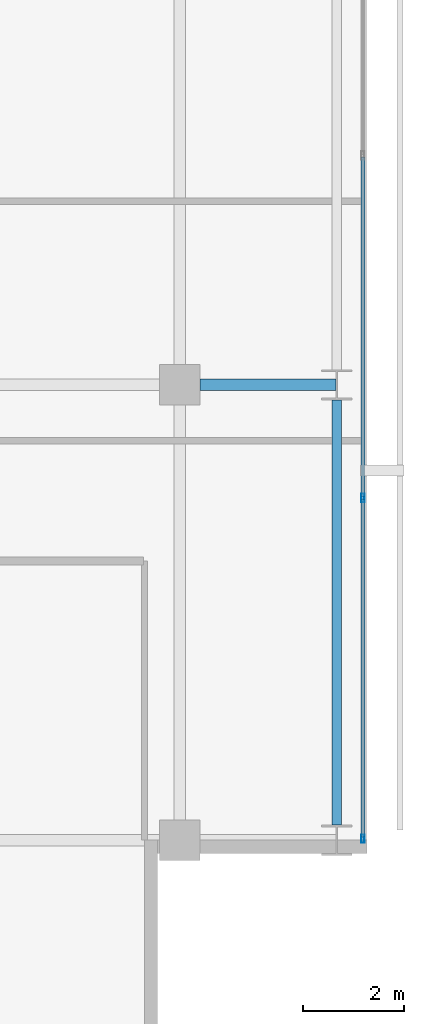
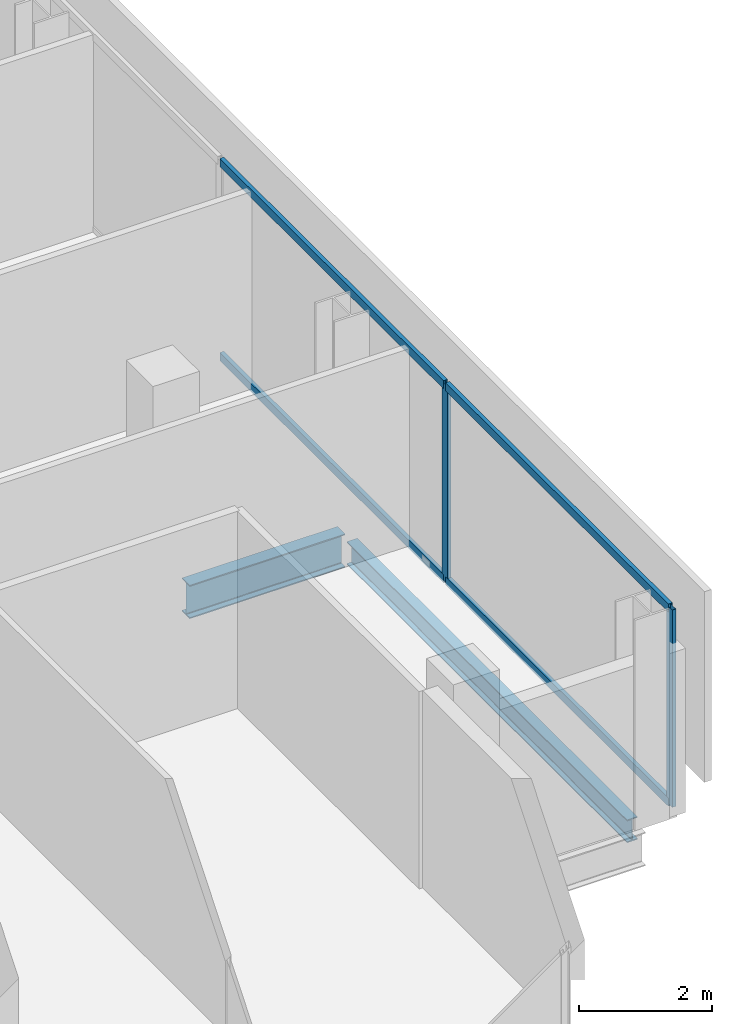
# One storey, part 15 of 33: 6 members, 2 beams, 1 element without a shape of its own.
"""IFC4 building model written with IfcOpenShell, lengths in metres."""

from ifc_helpers import new_model, si_unit, direction, frame, origin, origin_2d, place, context, subcontext, project, spatial, hollow_rectangle, i_section, extrude, material, layer, layer_set, material_profile, profile_set, type_object, element, aggregate, save


model = new_model("IFC4")

# Units and contexts
model_context = context("Model", 3, precision=1e-05, world=origin(), true_north=direction((0.0, 1.0)))
body_context = subcontext(model_context, "Body", "Model", "MODEL_VIEW")
ifc_project = project(units=[si_unit("LENGTHUNIT", "METRE"), si_unit("AREAUNIT", "SQUARE_METRE"), si_unit("VOLUMEUNIT", "CUBIC_METRE"), si_unit("PLANEANGLEUNIT", "RADIAN"), si_unit("MASSUNIT", "GRAM", prefix="KILO")], contexts=[model_context])

# Site, building, storey
site_placement = place(None, origin())
site = spatial("IfcSite", under=ifc_project, at=site_placement, CompositionType="ELEMENT")
building_placement = place(site_placement, origin())
building = spatial("IfcBuilding", under=site, at=building_placement, Name="Maruvema Waterfront Hotel and Observation Tower", CompositionType="ELEMENT")
storey_placement = place(building_placement, frame((0.0, 0.0, 142.800048828125)))
storey = spatial("IfcBuildingStorey", under=building, at=storey_placement, Name="L34", CompositionType="ELEMENT", Elevation=142.800048828125)

# Curtain wall, members
ifc_material_1 = material(Name="Anodised bronze aluminium and solar-control low-E IGU", Category="aluminium")
ifc_layer = layer(ifc_material_1, 0.159912109375, Name="Zone 2 Amber Inner Thermal Curtain Wall System CW-03")
ifc_layer_set = layer_set([ifc_layer], Name="Anodised bronze aluminium and solar-control low-E IGU")
curtain_wall_type = type_object("IfcCurtainWallType", Name="Zone 2 Amber Inner Thermal Curtain Wall System CW-03", PredefinedType="USERDEFINED", material=ifc_layer_set)
curtain_wall_placement = place(storey_placement, origin())
curtain_wall = element("IfcCurtainWall", 1, at=curtain_wall_placement, inside=storey, type_object=curtain_wall_type, Name="L34 Curtain Wall CW-L34-E", ObjectType="UNITISED CURTAIN WALL", PredefinedType="USERDEFINED")
ifc_material_2 = material(Name="Anodised architectural bronze aluminium", Category="aluminium")
ifc_material_profile_1 = material_profile(ifc_material_2, hollow_rectangle(XDim=0.070068359375, YDim=0.14990234375, WallThickness=0.00390625, at=origin_2d()), Name="ALU-T70x150")
ifc_profile_set_1 = profile_set([ifc_material_profile_1], Name="Anodised architectural bronze aluminium")
member_type_1 = type_object("IfcMemberType", Name="Curtain Wall Horizontal Transom ALU-T70x150", PredefinedType="USERDEFINED", material=ifc_profile_set_1)
member_1_placement = place(storey_placement, frame((62.419921875, 9.06005859375, 0.030029296875), z_axis=(0.0, 1.0, 0.0), x_axis=(-1.0, 0.0, 0.0)))
member_1 = element("IfcMember", 2, at=member_1_placement, type_object=member_type_1, Name="CW-03 transom 1.1", ObjectType="TRANSOM", PredefinedType="USERDEFINED", context=body_context, shape_type="SweptSolid", body=[
    extrude(hollow_rectangle(XDim=0.070068359375, YDim=0.14990234375, WallThickness=0.00390625, at=origin_2d()), origin(), (0.0, 0.0, 1.0), 6.676513671875),
])
member_2_placement = place(storey_placement, frame((62.419921875, 9.06005859375, 3.579833984375), z_axis=(0.0, 1.0, 0.0), x_axis=(-1.0, 0.0, 0.0)))
member_2 = element("IfcMember", 3, at=member_2_placement, type_object=member_type_1, Name="CW-03 transom 1.2", ObjectType="TRANSOM", PredefinedType="USERDEFINED", context=body_context, shape_type="SweptSolid", body=[
    extrude(hollow_rectangle(XDim=0.070068359375, YDim=0.14990234375, WallThickness=0.00390625, at=origin_2d()), origin(), (0.0, 0.0, 1.0), 6.676513671875),
])
member_3_placement = place(storey_placement, frame((62.419921875, 15.796630859375, 0.030029296875), z_axis=(0.0, 1.0, 0.0), x_axis=(-1.0, 0.0, 0.0)))
member_3 = element("IfcMember", 4, at=member_3_placement, type_object=member_type_1, Name="CW-03 transom 2.1", ObjectType="TRANSOM", PredefinedType="USERDEFINED", context=body_context, shape_type="SweptSolid", body=[
    extrude(hollow_rectangle(XDim=0.070068359375, YDim=0.14990234375, WallThickness=0.00390625, at=origin_2d()), origin(), (0.0, 0.0, 1.0), 6.706787109375),
])
member_4_placement = place(storey_placement, frame((62.419921875, 15.796630859375, 3.579833984375), z_axis=(0.0, 1.0, 0.0), x_axis=(-1.0, 0.0, 0.0)))
member_4 = element("IfcMember", 5, at=member_4_placement, type_object=member_type_1, Name="CW-03 transom 2.2", ObjectType="TRANSOM", PredefinedType="USERDEFINED", context=body_context, shape_type="SweptSolid", body=[
    extrude(hollow_rectangle(XDim=0.070068359375, YDim=0.14990234375, WallThickness=0.00390625, at=origin_2d()), origin(), (0.0, 0.0, 1.0), 6.706787109375),
])
ifc_material_3 = material(Name="Anodised architectural bronze aluminium", Category="aluminium")
ifc_material_profile_2 = material_profile(ifc_material_3, hollow_rectangle(XDim=0.06494140625, YDim=0.1650390625, WallThickness=0.00390625, at=origin_2d()), Name="ALU-M65x165")
ifc_profile_set_2 = profile_set([ifc_material_profile_2], Name="Anodised architectural bronze aluminium")
member_type_2 = type_object("IfcMemberType", Name="Curtain Wall Primary Mullion ALU-M65x165", PredefinedType="MULLION", material=ifc_profile_set_2)
member_5_placement = place(storey_placement, frame((62.419921875, 9.030029296875, 0.0), z_axis=(0.0, 0.0, 1.0), x_axis=(-1.0, 0.0, 0.0)))
member_5 = element("IfcMember", 6, at=member_5_placement, type_object=member_type_2, Name="CW-03 mullion 1", PredefinedType="MULLION", context=body_context, shape_type="SweptSolid", body=[
    extrude(hollow_rectangle(XDim=0.06494140625, YDim=0.1650390625, WallThickness=0.00390625, at=origin_2d()), origin(), (0.0, 0.0, 1.0), 3.60986328125),
])
member_6_placement = place(storey_placement, frame((62.419921875, 15.7666015625, 0.0), z_axis=(0.0, 0.0, 1.0), x_axis=(-1.0, 0.0, 0.0)))
member_6 = element("IfcMember", 7, at=member_6_placement, type_object=member_type_2, Name="CW-03 mullion 2", PredefinedType="MULLION", context=body_context, shape_type="SweptSolid", body=[
    extrude(hollow_rectangle(XDim=0.06494140625, YDim=0.1650390625, WallThickness=0.00390625, at=origin_2d()), origin(), (0.0, 0.0, 1.0), 3.60986328125),
])
aggregate(curtain_wall, [member_5, member_6, member_1, member_2, member_3, member_4])

# Beams
ifc_material_4 = material(Name="Steel ASTM A572 Grade 50", Category="steel")
ifc_material_profile_3 = material_profile(ifc_material_4, i_section(OverallWidth=0.180908203125, OverallDepth=0.4169921875, WebThickness=0.010986328125, FlangeThickness=0.018310546875, FilletRadius=0.014892578125, at=origin_2d()), Name="W410x85.0")
ifc_profile_set_3 = profile_set([ifc_material_profile_3], Name="Steel ASTM A572 Grade 50")
beam_type_1 = type_object("IfcBeamType", Name="Perimeter Spandrel Beam W410x85.0", PredefinedType="SPANDREL", material=ifc_profile_set_3)
beam_1_placement = place(storey_placement, frame((61.89990234375, 9.300048828125, -0.448486328125), z_axis=(0.0, 1.0, 0.0), x_axis=(-1.0, 0.0, 0.0)))
element("IfcBeam", 8, at=beam_1_placement, inside=storey, type_object=beam_type_1, Name="L34 Floor Girder NS-29", PredefinedType="SPANDREL", context=body_context, shape_type="SweptSolid", body=[
    extrude(i_section(OverallWidth=0.180908203125, OverallDepth=0.4169921875, WebThickness=0.010986328125, FlangeThickness=0.018310546875, FilletRadius=0.014892578125, at=origin_2d()), origin(), (0.0, 0.0, 1.0), 8.39990234375),
])
ifc_material_5 = material(Name="Steel ASTM A572 Grade 50", Category="steel")
ifc_material_profile_4 = material_profile(ifc_material_5, i_section(OverallWidth=0.22900390625, OverallDepth=0.612060546875, WebThickness=0.011962890625, FlangeThickness=0.01953125, FilletRadius=0.01806640625, at=origin_2d()), Name="W610x125.0")
ifc_profile_set_4 = profile_set([ifc_material_profile_4], Name="Steel ASTM A572 Grade 50")
beam_type_2 = type_object("IfcBeamType", Name="Primary Floor Girder W610x125.0", PredefinedType="BEAM", material=ifc_profile_set_4)
beam_2_placement = place(storey_placement, frame((59.199951171875, 18.0, -0.546142578125), z_axis=(1.0, 0.0, 0.0), x_axis=(0.0, 1.0, 0.0)))
element("IfcBeam", 9, at=beam_2_placement, inside=storey, type_object=beam_type_2, Name="L34 Floor Girder EW-17", PredefinedType="BEAM", context=body_context, shape_type="SweptSolid", body=[
    extrude(i_section(OverallWidth=0.22900390625, OverallDepth=0.612060546875, WebThickness=0.011962890625, FlangeThickness=0.01953125, FilletRadius=0.01806640625, at=origin_2d()), origin(), (0.0, 0.0, 1.0), 2.6875),
])

save(model, "model.ifc")
